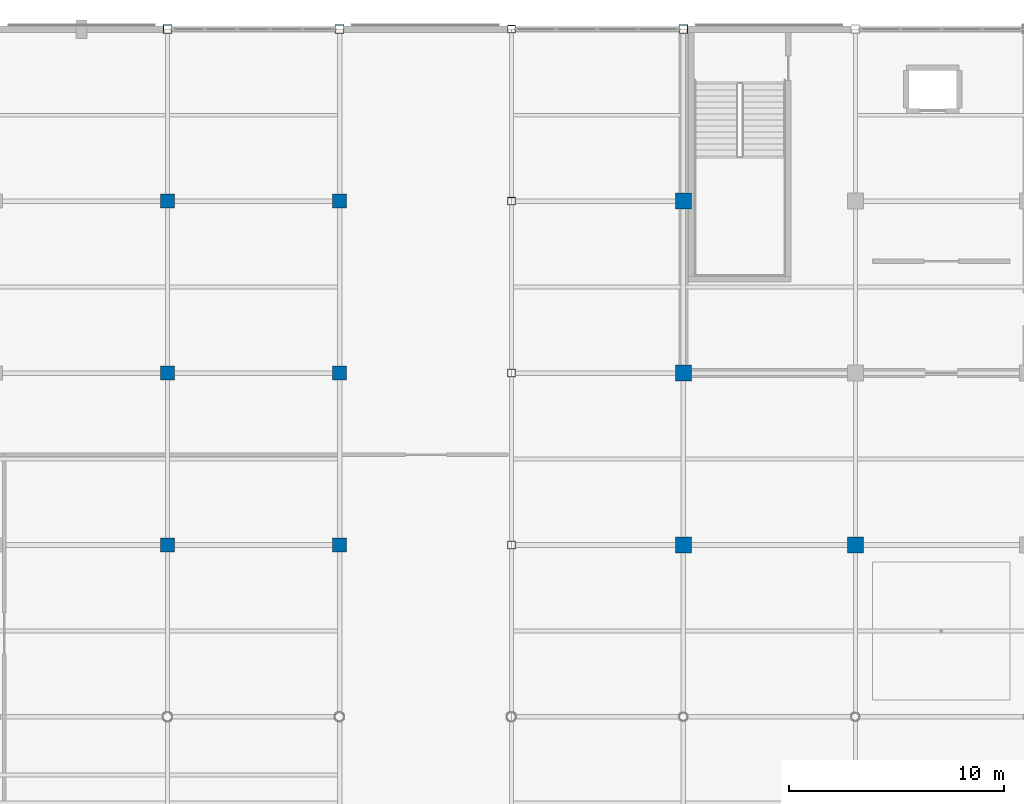
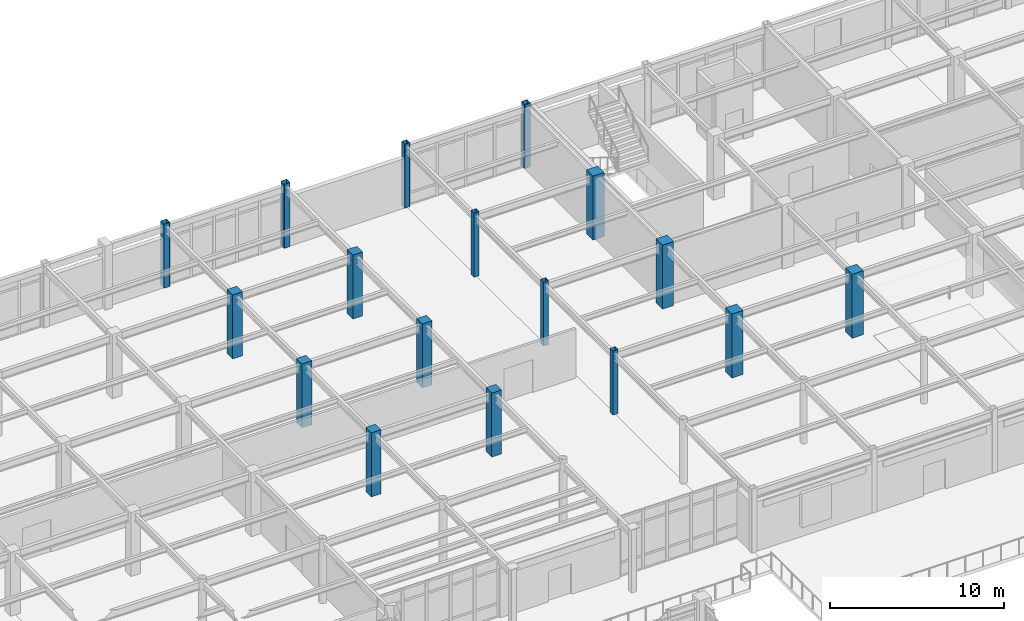
# One storey, part 14 of 111: 17 columns.
"""IFC4 building model written with IfcOpenShell, lengths in metres."""

from ifc_helpers import new_model, si_unit, direction, frame, origin, origin_2d, place, context, subcontext, project, spatial, rectangle, hollow_rectangle, extrude, material, material_profile, profile_set, type_object, element, save


model = new_model("IFC4")

# Units and contexts
model_context = context("Model", 3, precision=1e-05, world=origin(), true_north=direction((0.0, 1.0)))
body_context = subcontext(model_context, "Body", "Model", "MODEL_VIEW")
ifc_project = project(units=[si_unit("LENGTHUNIT", "METRE"), si_unit("AREAUNIT", "SQUARE_METRE"), si_unit("VOLUMEUNIT", "CUBIC_METRE"), si_unit("PLANEANGLEUNIT", "RADIAN"), si_unit("MASSUNIT", "GRAM", prefix="KILO")], contexts=[model_context])

# Site, building, storey
site_placement = place(None, origin())
site = spatial("IfcSite", under=ifc_project, at=site_placement, CompositionType="ELEMENT")
building_placement = place(site_placement, origin())
building = spatial("IfcBuilding", under=site, at=building_placement, Name="Solmirada Galleria", CompositionType="ELEMENT")
storey_placement = place(building_placement, frame((0.0, 0.0, 10.39990234375)))
storey = spatial("IfcBuildingStorey", under=building, at=storey_placement, Name="L02", CompositionType="ELEMENT", Elevation=10.39990234375)

# Columns
ifc_material_1 = material(Name="Steel S355 / ASTM A500 Grade C", Category="steel")
ifc_material_profile_1 = material_profile(ifc_material_1, hollow_rectangle(XDim=0.35595703125, YDim=0.35595703125, WallThickness=0.01171875, InnerFilletRadius=0.01171875, OuterFilletRadius=0.023681640625, at=origin_2d()), Name="HSS14X14X1/2")
ifc_profile_set_1 = profile_set([ifc_material_profile_1], Name="Steel S355 / ASTM A500 Grade C")
column_type_1 = type_object("IfcColumnType", Name="COL-HSS14", PredefinedType="COLUMN", material=ifc_profile_set_1)
for number, where, z_axis, x_axis, name in (
    (1, (120.0, 96.0, 0.0), (0.0, 0.0, 1.0), (1.0, 0.0, 0.0), "Structural column L02-0986"),
    (2, (120.0, 104.0, 0.0), (0.0, 0.0, 1.0), (1.0, 0.0, 0.0), "Structural column L02-0991"),
    (3, (120.0, 112.0, 0.0), (0.0, 0.0, 1.0), (1.0, 0.0, 0.0), "Structural column L02-0996"),
    (4, (120.0, 120.0, 0.0), (0.0, 0.0, 1.0), (1.0, 0.0, 0.0), "Structural column L02-1001"),
):
    element("IfcColumn", number, at=place(storey_placement, frame(where, z_axis=z_axis, x_axis=x_axis)), inside=storey, type_object=column_type_1, Name=name, PredefinedType="COLUMN", context=body_context, shape_type="SweptSolid", body=[
        extrude(hollow_rectangle(XDim=0.35595703125, YDim=0.35595703125, WallThickness=0.01171875, InnerFilletRadius=0.01171875, OuterFilletRadius=0.023681640625, at=origin_2d()), origin(), (0.0, 0.0, 1.0), 4.5),
    ])
ifc_material_profile_2 = material_profile(ifc_material_1, hollow_rectangle(XDim=0.406005859375, YDim=0.406005859375, WallThickness=0.0146484375, InnerFilletRadius=0.0146484375, OuterFilletRadius=0.029296875, at=origin_2d()), Name="HSS16X16X5/8")
ifc_profile_set_2 = profile_set([ifc_material_profile_2], Name="Steel S355 / ASTM A500 Grade C")
column_type_2 = type_object("IfcColumnType", Name="COL-HSS16", PredefinedType="COLUMN", material=ifc_profile_set_2)
for number, where, z_axis, x_axis, name in (
    (5, (104.0, 120.0, 0.0), (0.0, 0.0, 1.0), (1.0, 0.0, 0.0), "Structural column L02-0799"),
    (6, (112.0, 120.0, 0.0), (0.0, 0.0, 1.0), (1.0, 0.0, 0.0), "Structural column L02-0916"),
    (7, (128.0, 120.0, 0.0), (0.0, 0.0, 1.0), (1.0, 0.0, 0.0), "Structural column L02-1098"),
):
    element("IfcColumn", number, at=place(storey_placement, frame(where, z_axis=z_axis, x_axis=x_axis)), inside=storey, type_object=column_type_2, Name=name, PredefinedType="COLUMN", context=body_context, shape_type="SweptSolid", body=[
        extrude(hollow_rectangle(XDim=0.406005859375, YDim=0.406005859375, WallThickness=0.0146484375, InnerFilletRadius=0.0146484375, OuterFilletRadius=0.029296875, at=origin_2d()), origin(), (0.0, 0.0, 1.0), 4.5),
    ])
ifc_material_2 = material(Name="Concrete C40/50", Category="concrete")
ifc_material_profile_3 = material_profile(ifc_material_2, rectangle(XDim=0.64990234375, YDim=0.64990234375, at=origin_2d()), Name="RC650X650")
ifc_profile_set_3 = profile_set([ifc_material_profile_3], Name="Concrete C40/50")
column_type_3 = type_object("IfcColumnType", Name="COL-RC650", PredefinedType="COLUMN", material=ifc_profile_set_3)
for number, where, z_axis, x_axis, name in (
    (8, (104.0, 96.0, 0.0), (0.0, 0.0, 1.0), (1.0, 0.0, 0.0), "Structural column L02-0778"),
    (9, (104.0, 104.0, 0.0), (0.0, 0.0, 1.0), (1.0, 0.0, 0.0), "Structural column L02-0785"),
    (10, (104.0, 112.0, 0.0), (0.0, 0.0, 1.0), (1.0, 0.0, 0.0), "Structural column L02-0792"),
    (11, (112.0, 96.0, 0.0), (0.0, 0.0, 1.0), (1.0, 0.0, 0.0), "Structural column L02-0895"),
    (12, (112.0, 104.0, 0.0), (0.0, 0.0, 1.0), (1.0, 0.0, 0.0), "Structural column L02-0902"),
    (13, (112.0, 112.0, 0.0), (0.0, 0.0, 1.0), (1.0, 0.0, 0.0), "Structural column L02-0909"),
):
    element("IfcColumn", number, at=place(storey_placement, frame(where, z_axis=z_axis, x_axis=x_axis)), inside=storey, type_object=column_type_3, Name=name, PredefinedType="COLUMN", context=body_context, shape_type="SweptSolid", body=[
        extrude(rectangle(XDim=0.64990234375, YDim=0.64990234375, at=origin_2d()), origin(), (0.0, 0.0, 1.0), 4.5),
    ])
ifc_material_profile_4 = material_profile(ifc_material_2, rectangle(XDim=0.75, YDim=0.75, at=origin_2d()), Name="RC750X750")
ifc_profile_set_4 = profile_set([ifc_material_profile_4], Name="Concrete C40/50")
column_type_4 = type_object("IfcColumnType", Name="COL-RC750", PredefinedType="COLUMN", material=ifc_profile_set_4)
for number, where, z_axis, x_axis, name in (
    (14, (128.0, 96.0, 0.0), (0.0, 0.0, 1.0), (1.0, 0.0, 0.0), "Structural column L02-1071"),
    (15, (128.0, 104.0, 0.0), (0.0, 0.0, 1.0), (1.0, 0.0, 0.0), "Structural column L02-1080"),
    (16, (128.0, 112.0, 0.0), (0.0, 0.0, 1.0), (1.0, 0.0, 0.0), "Structural column L02-1089"),
    (17, (136.0, 96.0, 0.0), (0.0, 0.0, 1.0), (1.0, 0.0, 0.0), "Structural column L02-1172"),
):
    element("IfcColumn", number, at=place(storey_placement, frame(where, z_axis=z_axis, x_axis=x_axis)), inside=storey, type_object=column_type_4, Name=name, PredefinedType="COLUMN", context=body_context, shape_type="SweptSolid", body=[
        extrude(rectangle(XDim=0.75, YDim=0.75, at=origin_2d()), origin(), (0.0, 0.0, 1.0), 4.5),
    ])

save(model, "model.ifc")
